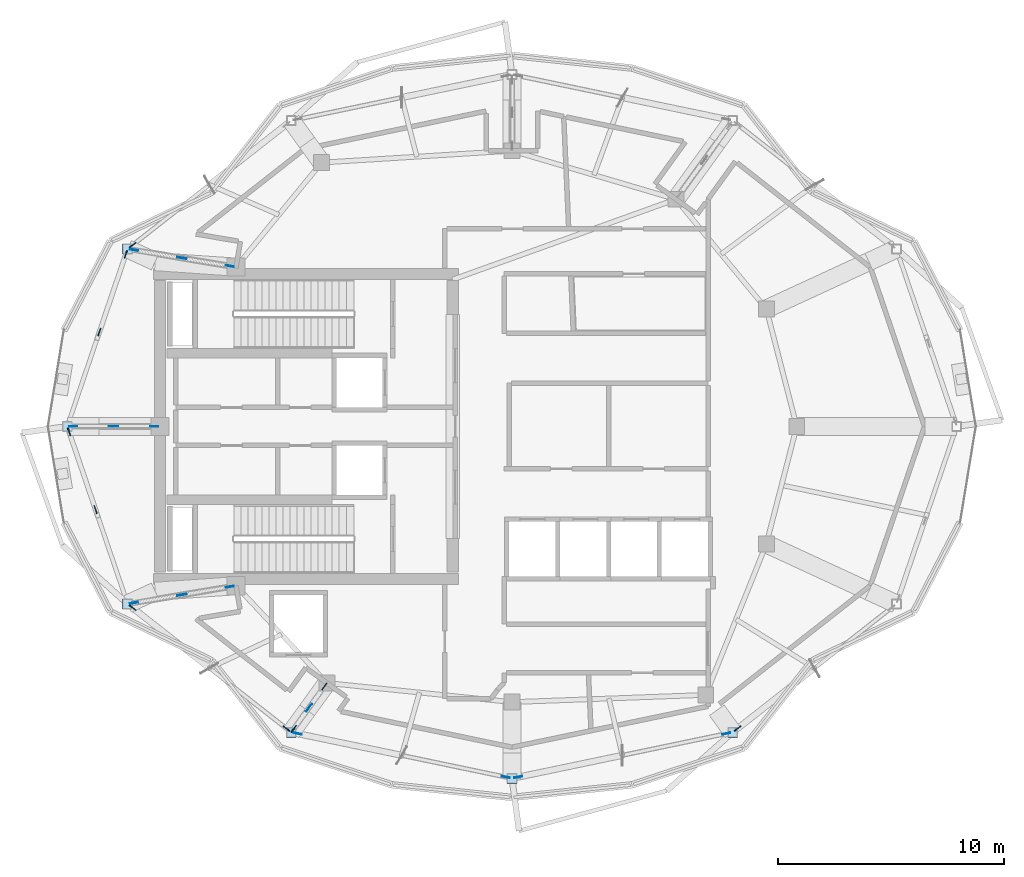
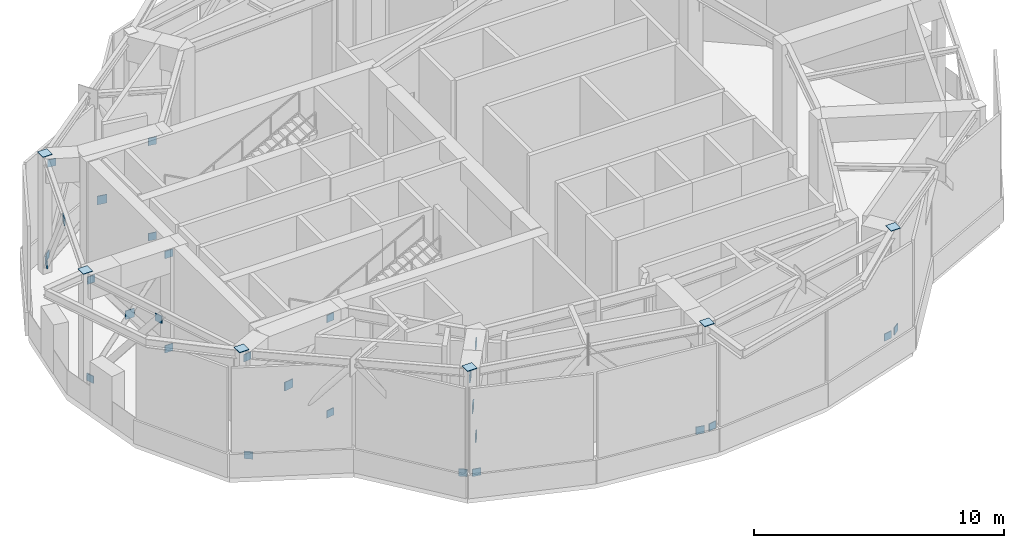
# One storey, part 4 of 9: 34 plates.
"""IFC4 building model written with IfcOpenShell, lengths in metres."""

from ifc_helpers import new_model, si_unit, direction, frame, origin, origin_2d, place, context, subcontext, project, spatial, rectangle, extrude, material, layer, layer_set, type_object, element, save


model = new_model("IFC4")

# Units and contexts
model_context = context("Model", 3, precision=1e-05, world=origin(), true_north=direction((0.0, 1.0)))
body_context = subcontext(model_context, "Body", "Model", "MODEL_VIEW")
ifc_project = project(units=[si_unit("LENGTHUNIT", "METRE"), si_unit("AREAUNIT", "SQUARE_METRE"), si_unit("VOLUMEUNIT", "CUBIC_METRE"), si_unit("PLANEANGLEUNIT", "RADIAN"), si_unit("MASSUNIT", "GRAM", prefix="KILO")], contexts=[model_context])

# Site, building, storey
site_placement = place(None, origin())
site = spatial("IfcSite", under=ifc_project, at=site_placement, CompositionType="ELEMENT")
building_placement = place(site_placement, origin())
building = spatial("IfcBuilding", under=site, at=building_placement, Name="Kolvaren Gate Tower and Convention Centre", CompositionType="ELEMENT")
storey_placement = place(building_placement, frame((0.0, 0.0, 275.60009765625)))
storey = spatial("IfcBuildingStorey", under=building, at=storey_placement, Name="L75", CompositionType="ELEMENT", Elevation=275.60009765625)

# Plates
ifc_material = material(Name="Structural steel plate ASTM A572 Grade 345 MPa", Category="steel")
ifc_layer_1 = layer(ifc_material, 0.030029296875)
ifc_layer_set_1 = layer_set([ifc_layer_1], Name="Structural steel plate ASTM A572 Grade 345 MPa")
plate_type_1 = type_object("IfcPlateType", Name="STR-PL-CAP-30", PredefinedType="USERDEFINED", material=ifc_layer_set_1)
for number, where, z_axis, x_axis, name in (
    (1, (13.1162109375, 34.856201171875, 5.716796875), (0.0, 0.0, 1.0), (1.0, 0.0, 0.0), "Supercolumn L75 TP-06 Welded Steel Cap Plate"),
    (2, (10.44384765625, 27.0, 5.716796875), (0.0, 0.0, 1.0), (1.0, 0.0, 0.0), "Supercolumn L75 TP-07 Welded Steel Cap Plate"),
    (3, (13.1162109375, 19.143798828125, 5.716796875), (0.0, 0.0, 1.0), (1.0, 0.0, 0.0), "Supercolumn L75 TP-08 Welded Steel Cap Plate"),
    (4, (20.356689453125, 13.46484375, 5.716796875), (0.0, 0.0, 1.0), (1.0, 0.0, 0.0), "Supercolumn L75 TP-09 Welded Steel Cap Plate"),
    (5, (30.125, 11.425048828125, 5.716796875), (0.0, 0.0, 1.0), (1.0, 0.0, 0.0), "Supercolumn L75 TP-10 Welded Steel Cap Plate"),
    (6, (39.893310546875, 13.46484375, 5.716796875), (0.0, 0.0, 1.0), (1.0, 0.0, 0.0), "Supercolumn L75 TP-11 Welded Steel Cap Plate"),
):
    element("IfcPlate", number, at=place(storey_placement, frame(where, z_axis=z_axis, x_axis=x_axis)), inside=storey, type_object=plate_type_1, Name=name, ObjectType="END PLATE", PredefinedType="USERDEFINED", context=body_context, shape_type="SweptSolid", body=[
        extrude(rectangle(XDim=0.43994140625, YDim=0.43994140625, at=origin_2d()), origin(), (0.0, 0.0, 1.0), 0.030029296875),
    ])
ifc_layer_2 = layer(ifc_material, 0.035888671875)
ifc_layer_set_2 = layer_set([ifc_layer_2], Name="Structural steel plate ASTM A572 Grade 345 MPa")
plate_type_2 = type_object("IfcPlateType", Name="STR-PL-END-36", PredefinedType="USERDEFINED", material=ifc_layer_set_2)
for number, where, z_axis, x_axis, name in (
    (7, (13.333740234375, 35.026611328125, 0.38623046875), (0.0, 0.0, 1.0), (0.786838088485, 0.617159478992, 0.0), "Structural Brace End Connection Gusset Plate EGP-307"),
    (8, (13.032470703125, 34.60986328125, 0.3994140625), (0.0, 0.0, 1.0), (-0.32204263731, -0.946725165903, 0.0), "Structural Brace End Connection Gusset Plate EGP-308"),
    (9, (11.86376953125, 31.17431640625, 5.00146484375), (0.0, 0.0, 1.0), (-0.32204263731, -0.946725165903, 0.0), "Structural Brace End Connection Gusset Plate EGP-309"),
    (10, (10.527587890625, 26.75390625, 0.3994140625), (0.0, 0.0, 1.0), (0.322049246691, -0.946722917598, 0.0), "Structural Brace End Connection Gusset Plate EGP-310"),
    (11, (11.6962890625, 23.318115234375, 5.00146484375), (0.0, 0.0, 1.0), (0.322049246691, -0.946722917598, 0.0), "Structural Brace End Connection Gusset Plate EGP-311"),
    (12, (13.333740234375, 18.973388671875, 0.38623046875), (0.0, 0.0, 1.0), (0.786838088485, -0.617159478992, 0.0), "Structural Brace End Connection Gusset Plate EGP-312"),
    (13, (20.139404296875, 13.635498046875, 0.38623046875), (0.0, 0.0, 1.0), (-0.786847782706, 0.617147119292, 0.0), "Structural Brace End Connection Gusset Plate EGP-313"),
    (14, (20.6396484375, 13.40576171875, 0.37451171875), (0.0, 0.0, 1.0), (0.978885230681, -0.204410628769, 0.0), "Structural Brace End Connection Gusset Plate EGP-314"),
    (15, (29.842041015625, 11.484130859375, 0.37451171875), (0.0, 0.0, 1.0), (-0.978885230681, 0.204410628769, 0.0), "Structural Brace End Connection Gusset Plate EGP-315"),
    (16, (30.407958984375, 11.484130859375, 0.37451171875), (0.0, 0.0, 1.0), (0.978885230681, 0.204410628769, 0.0), "Structural Brace End Connection Gusset Plate EGP-316"),
    (17, (39.6103515625, 13.40576171875, 0.37451171875), (0.0, 0.0, 1.0), (-0.978885230681, -0.204410628769, 0.0), "Structural Brace End Connection Gusset Plate EGP-317"),
    (18, (40.110595703125, 13.635498046875, 0.38623046875), (0.0, 0.0, 1.0), (0.786847782706, 0.617147119292, 0.0), "Structural Brace End Connection Gusset Plate EGP-318"),
    (19, (17.6328125, 34.09716796875, 0.37841796875), (0.0, 0.0, 1.0), (-0.98617765608, 0.165691371676, 0.0), "Structural Brace End Connection Gusset Plate EGP-322"),
    (20, (13.3974609375, 34.808837890625, 5.02294921875), (0.0, 0.0, 1.0), (-0.98617765608, 0.165691371676, 0.0), "Structural Brace End Connection Gusset Plate EGP-323"),
    (21, (17.6328125, 34.09716796875, 5.02294921875), (0.0, 0.0, 1.0), (0.986180836945, -0.165672438394, 0.0), "Structural Brace End Connection Gusset Plate EGP-324"),
    (22, (14.29150390625, 27.0, 0.40087890625), (0.0, 0.0, 1.0), (-1.0, 0.0, 0.0), "Structural Brace End Connection Gusset Plate EGP-325"),
    (23, (10.7021484375, 27.0, 5.00048828125), (0.0, 0.0, 1.0), (-1.0, 0.0, 0.0), "Structural Brace End Connection Gusset Plate EGP-326"),
    (24, (14.29150390625, 27.0, 5.00048828125), (0.0, 0.0, 1.0), (1.0, 0.0, 0.0), "Structural Brace End Connection Gusset Plate EGP-327"),
    (25, (17.6328125, 19.90283203125, 0.37841796875), (0.0, 0.0, 1.0), (-0.98617765608, -0.165691371676, 0.0), "Structural Brace End Connection Gusset Plate EGP-328"),
    (26, (13.3974609375, 19.191162109375, 5.02294921875), (0.0, 0.0, 1.0), (-0.98617765608, -0.165691371676, 0.0), "Structural Brace End Connection Gusset Plate EGP-329"),
    (27, (17.6328125, 19.902587890625, 5.02294921875), (0.0, 0.0, 1.0), (0.986174185632, 0.165712026096, 0.0), "Structural Brace End Connection Gusset Plate EGP-330"),
    (28, (21.8203125, 15.492431640625, 0.44384765625), (0.0, 0.0, 1.0), (-0.585205373045, -0.810885116006, 0.0), "Structural Brace End Connection Gusset Plate EGP-337"),
    (29, (20.46875, 13.619873046875, 4.95751953125), (0.0, 0.0, 1.0), (-0.585205373045, -0.810885116006, 0.0), "Structural Brace End Connection Gusset Plate EGP-338"),
    (30, (21.820068359375, 15.492431640625, 4.95751953125), (0.0, 0.0, 1.0), (0.585229432233, 0.810867752256, 0.0), "Structural Brace End Connection Gusset Plate EGP-339"),
):
    element("IfcPlate", number, at=place(storey_placement, frame(where, z_axis=z_axis, x_axis=x_axis)), inside=storey, type_object=plate_type_2, Name=name, ObjectType="GUSSET PLATE", PredefinedType="USERDEFINED", context=body_context, shape_type="SweptSolid", body=[
        extrude(rectangle(XDim=0.360107421875, YDim=0.035888671875, at=origin_2d()), origin(), (0.0, 0.0, 1.0), 0.360107421875),
    ])
ifc_layer_3 = layer(ifc_material, 0.035888671875)
ifc_layer_set_3 = layer_set([ifc_layer_3], Name="Structural steel plate ASTM A572 Grade 345 MPa")
plate_type_3 = type_object("IfcPlateType", Name="STR-PL-GUSSET-36", PredefinedType="USERDEFINED", material=ifc_layer_set_3)
for number, where, z_axis, x_axis, name in (
    (31, (15.51513671875, 34.452880859375, 2.670654296875), (0.0, 0.0, 1.0), (-0.98617765608, 0.165691371676, 0.0), "Outrigger Crossing Gusset Plate GP-OUT-L75-01X"),
    (32, (12.496826171875, 27.0, 2.670654296875), (0.0, 0.0, 1.0), (-1.0, 0.0, 0.0), "Outrigger Crossing Gusset Plate GP-OUT-L75-02X"),
    (33, (15.51513671875, 19.546875, 2.670654296875), (0.0, 0.0, 1.0), (-0.98617765608, -0.165691371676, 0.0), "Outrigger Crossing Gusset Plate GP-OUT-L75-03X"),
    (34, (21.144287109375, 14.55615234375, 2.670654296875), (0.0, 0.0, 1.0), (-0.585205373045, -0.810885116006, 0.0), "Outrigger Crossing Gusset Plate GP-OUT-L75-06X"),
):
    element("IfcPlate", number, at=place(storey_placement, frame(where, z_axis=z_axis, x_axis=x_axis)), inside=storey, type_object=plate_type_3, Name=name, ObjectType="GUSSET PLATE", PredefinedType="USERDEFINED", context=body_context, shape_type="SweptSolid", body=[
        extrude(rectangle(XDim=0.419921875, YDim=0.035888671875, at=origin_2d()), origin(), (0.0, 0.0, 1.0), 0.419921875),
    ])

save(model, "model.ifc")
